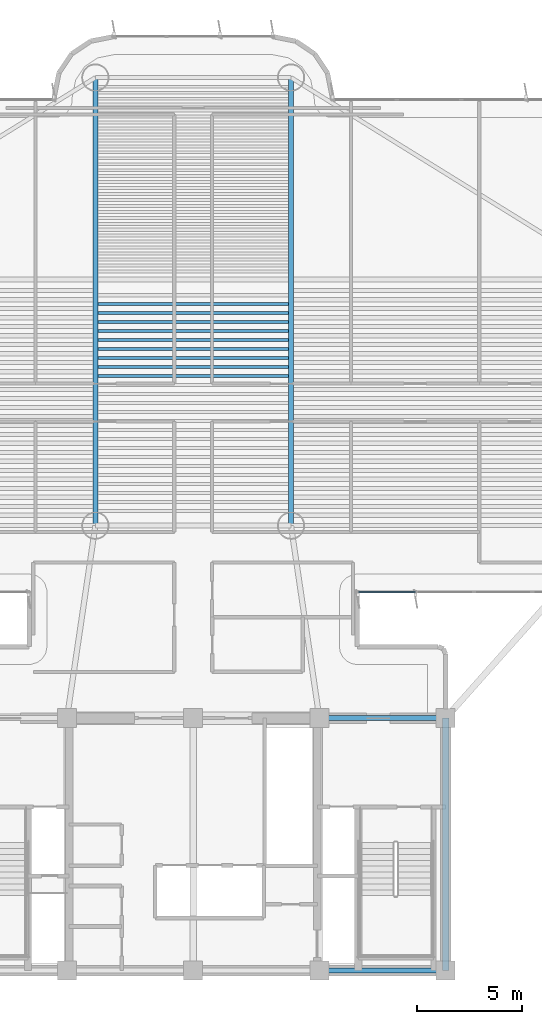
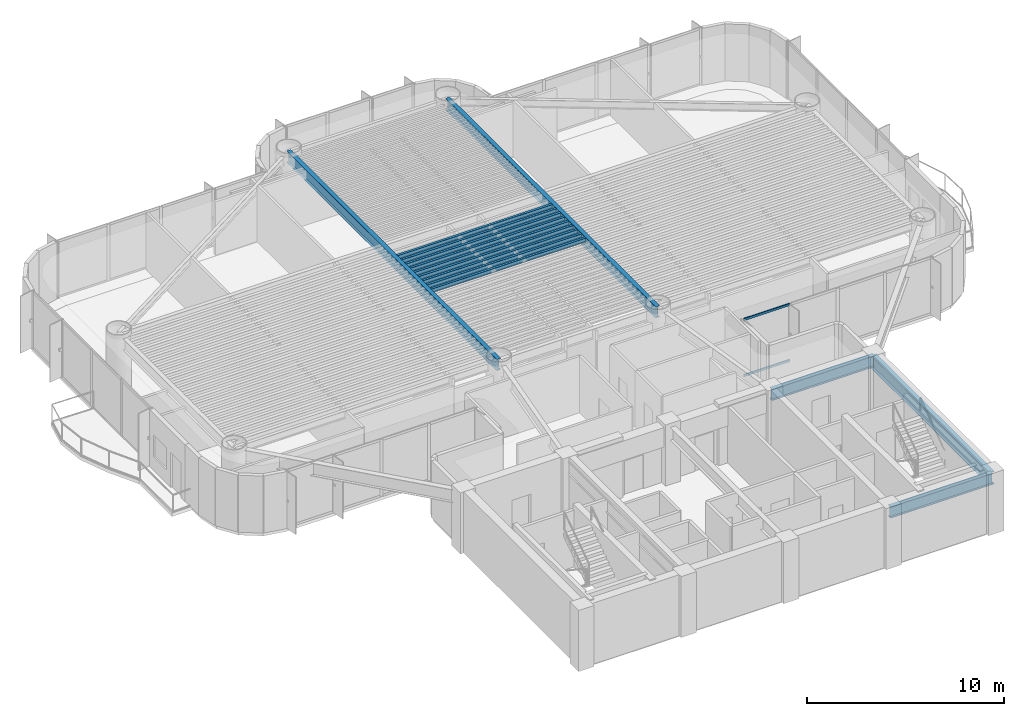
# One storey, part 3 of 16: 14 beams, 2 members, 1 element without a shape of its own.
"""IFC4 building model written with IfcOpenShell, lengths in metres."""

from ifc_helpers import new_model, si_unit, direction, frame, origin, origin_2d, place, context, subcontext, project, spatial, rectangle, i_section, extrude, source, transform, mapped, material, layer, layer_set, material_profile, profile_set, type_object, element, aggregate, save


model = new_model("IFC4")

# Units and contexts
model_context = context("Model", 3, precision=1e-05, world=origin(), true_north=direction((0.0, 1.0)))
body_context = subcontext(model_context, "Body", "Model", "MODEL_VIEW")
ifc_project = project(units=[si_unit("LENGTHUNIT", "METRE"), si_unit("AREAUNIT", "SQUARE_METRE"), si_unit("VOLUMEUNIT", "CUBIC_METRE"), si_unit("PLANEANGLEUNIT", "RADIAN"), si_unit("MASSUNIT", "GRAM", prefix="KILO")], contexts=[model_context])

# Site, building, storey
site_placement = place(None, origin())
site = spatial("IfcSite", under=ifc_project, at=site_placement, CompositionType="ELEMENT")
building_placement = place(site_placement, origin())
building = spatial("IfcBuilding", under=site, at=building_placement, Name="Brelvock Crest Care Tower", CompositionType="ELEMENT")
storey_placement = place(building_placement, frame((0.0, 0.0, 116.280029296875)))
storey = spatial("IfcBuildingStorey", under=building, at=storey_placement, Name="L29", CompositionType="ELEMENT", Elevation=116.280029296875)

# Beams
ifc_material_1 = material(Name="Steel Grade 350", Category="steel")
ifc_material_profile_1 = material_profile(ifc_material_1, i_section(OverallWidth=0.25, OverallDepth=0.699951171875, WebThickness=0.011962890625, FlangeThickness=0.02001953125, at=origin_2d()), Name="700WB150")
ifc_profile_set_1 = profile_set([ifc_material_profile_1], Name="Steel Grade 350")
beam_type_1 = type_object("IfcBeamType", Name="BM-G4", PredefinedType="BEAM", material=ifc_profile_set_1)
shared_shape_1 = source(origin(), body_context, "Body", "SweptSolid", [
    extrude(i_section(OverallWidth=0.25, OverallDepth=0.699951171875, WebThickness=0.011962890625, FlangeThickness=0.02001953125, at=origin_2d()), origin(), (0.0, 0.0, 1.0), 6.0),
])
for number, where, z_axis, x_axis, name in (
    (1, (42.0, 6.0, 3.179931640625), (1.0, 0.0, 0.0), (0.0, 1.0, 0.0), "BM-CORES-L29-4"),
    (2, (42.0, 18.0, 3.179931640625), (1.0, 0.0, 0.0), (0.0, 1.0, 0.0), "BM-COREN-L29-4"),
):
    element("IfcBeam", number, at=place(storey_placement, frame(where, z_axis=z_axis, x_axis=x_axis)), inside=storey, type_object=beam_type_1, Name=name, PredefinedType="BEAM", context=body_context, shape_type="MappedRepresentation", body=[
        mapped(shared_shape_1, transform((0.0, 0.0, 0.0), x_axis=(1.0, 0.0, 0.0), y_axis=(0.0, 1.0, 0.0), z_axis=(0.0, 0.0, 1.0), scale=1.0)),
    ])
ifc_material_profile_2 = material_profile(ifc_material_1, i_section(OverallWidth=0.300048828125, OverallDepth=0.800048828125, WebThickness=0.013916015625, FlangeThickness=0.02197265625, at=origin_2d()), Name="800WB192")
ifc_profile_set_2 = profile_set([ifc_material_profile_2], Name="Steel Grade 350")
beam_type_2 = type_object("IfcBeamType", Name="BM-G5", PredefinedType="BEAM", material=ifc_profile_set_2)
shared_shape_2 = source(origin(), body_context, "Body", "SweptSolid", [
    extrude(i_section(OverallWidth=0.300048828125, OverallDepth=0.800048828125, WebThickness=0.013916015625, FlangeThickness=0.02197265625, at=origin_2d()), origin(), (0.0, 0.0, 1.0), 12.0),
])
beam_placement = place(storey_placement, frame((48.0, 6.0, 3.1298828125), z_axis=(0.0, 1.0, 0.0), x_axis=(-1.0, 0.0, 0.0)))
element("IfcBeam", 3, at=beam_placement, inside=storey, type_object=beam_type_2, Name="BM-COREX-L29-5", PredefinedType="BEAM", context=body_context, shape_type="MappedRepresentation", body=[
    mapped(shared_shape_2, transform((0.0, 0.0, 0.0), x_axis=(1.0, 0.0, 0.0), y_axis=(0.0, 1.0, 0.0), z_axis=(0.0, 0.0, 1.0), scale=1.0)),
])
ifc_material_profile_3 = material_profile(ifc_material_1, i_section(OverallWidth=0.14599609375, OverallDepth=0.256103515625, WebThickness=0.00634765625, FlangeThickness=0.010986328125, FilletRadius=0.0087890625, at=origin_2d()), Name="250UB37.3")
ifc_profile_set_3 = profile_set([ifc_material_profile_3], Name="Steel Grade 350")
beam_type_3 = type_object("IfcBeamType", Name="BM-J3", PredefinedType="JOIST", material=ifc_profile_set_3)
shared_shape_3 = source(origin(), body_context, "Body", "SweptSolid", [
    extrude(i_section(OverallWidth=0.14599609375, OverallDepth=0.256103515625, WebThickness=0.00634765625, FlangeThickness=0.010986328125, FilletRadius=0.0087890625, at=origin_2d()), origin(), (0.0, 0.0, 1.0), 9.06982421875),
])
for number, where, z_axis, x_axis, name in (
    (4, (31.465087890625, 34.2607421875, 3.40185546875), (1.0, 0.0, 0.0), (0.0, 1.0, 0.0), "BM-JH-L29-16"),
    (5, (31.465087890625, 34.687744140625, 3.40185546875), (1.0, 0.0, 0.0), (0.0, 1.0, 0.0), "BM-JH-L29-17"),
    (6, (31.465087890625, 35.11474609375, 3.40185546875), (1.0, 0.0, 0.0), (0.0, 1.0, 0.0), "BM-JH-L29-18"),
    (7, (31.465087890625, 35.541748046875, 3.40185546875), (1.0, 0.0, 0.0), (0.0, 1.0, 0.0), "BM-JH-L29-19"),
    (8, (31.465087890625, 35.96875, 3.40185546875), (1.0, 0.0, 0.0), (0.0, 1.0, 0.0), "BM-JH-L29-20"),
    (9, (31.465087890625, 36.39599609375, 3.40185546875), (1.0, 0.0, 0.0), (0.0, 1.0, 0.0), "BM-JH-L29-21"),
    (10, (31.465087890625, 36.822998046875, 3.40185546875), (1.0, 0.0, 0.0), (0.0, 1.0, 0.0), "BM-JH-L29-22"),
    (11, (31.465087890625, 37.25, 3.40185546875), (1.0, 0.0, 0.0), (0.0, 1.0, 0.0), "BM-JH-L29-23"),
    (12, (31.465087890625, 37.677001953125, 3.40185546875), (1.0, 0.0, 0.0), (0.0, 1.0, 0.0), "BM-JH-L29-24"),
):
    element("IfcBeam", number, at=place(storey_placement, frame(where, z_axis=z_axis, x_axis=x_axis)), inside=storey, type_object=beam_type_3, Name=name, PredefinedType="JOIST", context=body_context, shape_type="MappedRepresentation", body=[
        mapped(shared_shape_3, transform((0.0, 0.0, 0.0), x_axis=(1.0, 0.0, 0.0), y_axis=(0.0, 1.0, 0.0), z_axis=(0.0, 0.0, 1.0), scale=1.0)),
    ])
shared_shape_4 = source(origin(), body_context, "Body", "SweptSolid", [
    extrude(i_section(OverallWidth=0.25, OverallDepth=0.699951171875, WebThickness=0.011962890625, FlangeThickness=0.02001953125, at=origin_2d()), origin(), (0.0, 0.0, 1.0), 21.300048828125),
])
for number, where, z_axis, x_axis, name in (
    (13, (31.35009765625, 27.14990234375, 3.179931640625), (0.0, 1.0, 0.0), (-1.0, 0.0, 0.0), "BM-TWR-L29-09"),
    (14, (40.64990234375, 27.14990234375, 3.179931640625), (0.0, 1.0, 0.0), (-1.0, 0.0, 0.0), "BM-TWR-L29-10"),
):
    element("IfcBeam", number, at=place(storey_placement, frame(where, z_axis=z_axis, x_axis=x_axis)), inside=storey, type_object=beam_type_1, Name=name, PredefinedType="BEAM", context=body_context, shape_type="MappedRepresentation", body=[
        mapped(shared_shape_4, transform((0.0, 0.0, 0.0), x_axis=(1.0, 0.0, 0.0), y_axis=(0.0, 1.0, 0.0), z_axis=(0.0, 0.0, 1.0), scale=1.0)),
    ])

# Curtain wall, members
ifc_material_2 = material(Name="Dark Glass Double Glazed Low-E", Category="glass")
ifc_layer = layer(ifc_material_2, 0.2099609375, Name="CWS-3")
ifc_layer_set = layer_set([ifc_layer], Name="Dark Glass Double Glazed Low-E")
curtain_wall_type = type_object("IfcCurtainWallType", Name="CWS-3", PredefinedType="NOTDEFINED", material=ifc_layer_set)
curtain_wall_placement = place(storey_placement, origin())
curtain_wall = element("IfcCurtainWall", 15, at=curtain_wall_placement, inside=storey, type_object=curtain_wall_type, Name="L29 Curtain Wall E44", PredefinedType="NOTDEFINED")
ifc_material_3 = material(Name="Aluminium 6063-T6", Category="aluminium")
ifc_material_profile_4 = material_profile(ifc_material_3, rectangle(XDim=0.06005859375, YDim=0.139892578125, at=origin_2d()), Name="ALU60x140")
ifc_profile_set_4 = profile_set([ifc_material_profile_4], Name="Aluminium 6063-T6")
member_type = type_object("IfcMemberType", Name="CWT-2", PredefinedType="USERDEFINED", material=ifc_profile_set_4)
shared_shape_5 = source(origin(), body_context, "Body", "SweptSolid", [
    extrude(rectangle(XDim=0.06005859375, YDim=0.139892578125, at=origin_2d()), origin(), (0.0, 0.0, 1.0), 2.684814453125),
])
member_1_placement = place(storey_placement, frame((46.544921875, 24.0, 0.030029296875), z_axis=(-1.0, 0.0, 0.0), x_axis=(0.0, -1.0, 0.0)))
member_1 = element("IfcMember", 16, at=member_1_placement, type_object=member_type, Name="CW-3 transom 4.1", ObjectType="TRANSOM", PredefinedType="USERDEFINED", context=body_context, shape_type="MappedRepresentation", body=[
    mapped(shared_shape_5, transform((0.0, 0.0, 0.0), x_axis=(1.0, 0.0, 0.0), y_axis=(0.0, 1.0, 0.0), z_axis=(0.0, 0.0, 1.0), scale=1.0)),
])
member_2_placement = place(storey_placement, frame((46.544921875, 24.0, 3.5), z_axis=(-1.0, 0.0, 0.0), x_axis=(0.0, -1.0, 0.0)))
member_2 = element("IfcMember", 17, at=member_2_placement, type_object=member_type, Name="CW-3 transom 4.2", ObjectType="TRANSOM", PredefinedType="USERDEFINED", context=body_context, shape_type="MappedRepresentation", body=[
    mapped(shared_shape_5, transform((0.0, 0.0, 0.0), x_axis=(1.0, 0.0, 0.0), y_axis=(0.0, 1.0, 0.0), z_axis=(0.0, 0.0, 1.0), scale=1.0)),
])
aggregate(curtain_wall, [member_1, member_2])

save(model, "model.ifc")
